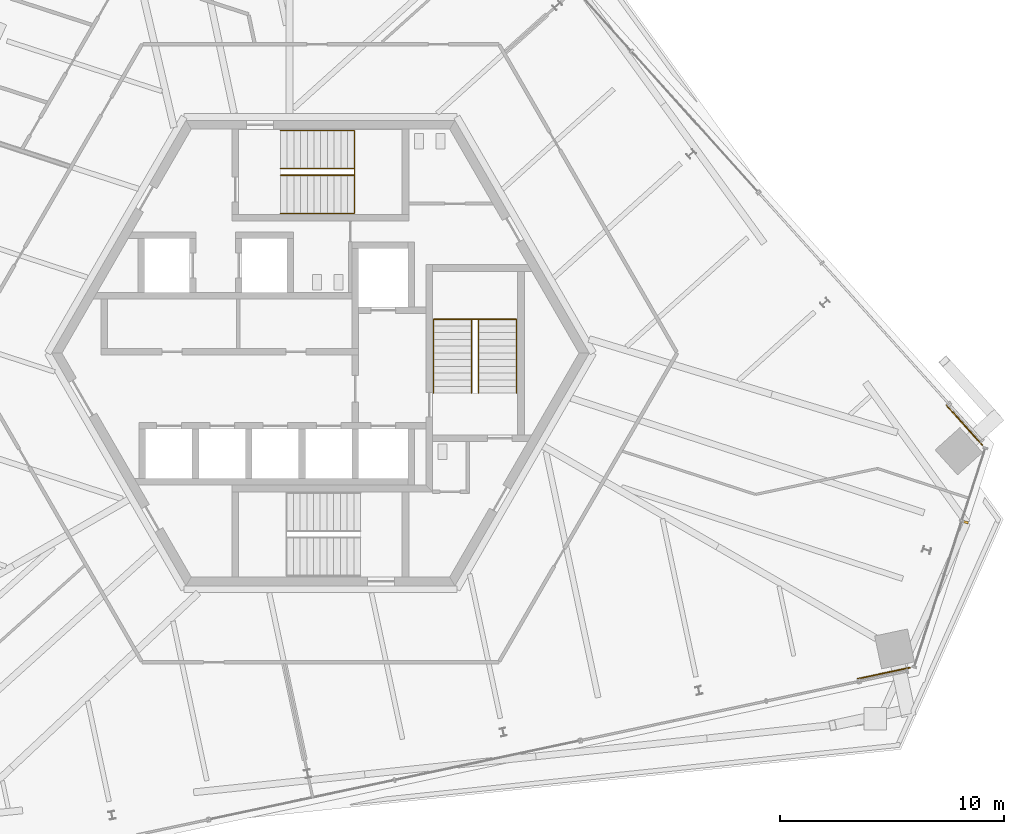
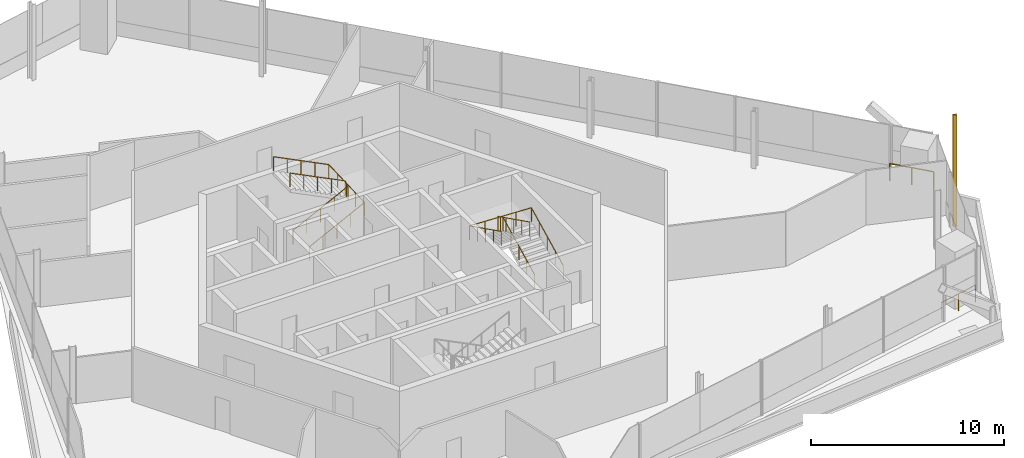
# One storey, part 18 of 20: 6 railings, 1 shading device.
"""IFC4 building model written with IfcOpenShell, lengths in metres."""

from ifc_helpers import new_model, si_unit, direction, frame, origin, origin_2d, place, context, subcontext, project, spatial, rectangle, circle, extrude, source, transform, mapped, material, type_object, element, save


model = new_model("IFC4")

# Units and contexts
model_context = context("Model", 3, precision=1e-05, world=origin(), true_north=direction((0.0, 1.0)))
body_context = subcontext(model_context, "Body", "Model", "MODEL_VIEW")
ifc_project = project(units=[si_unit("LENGTHUNIT", "METRE"), si_unit("AREAUNIT", "SQUARE_METRE"), si_unit("VOLUMEUNIT", "CUBIC_METRE"), si_unit("PLANEANGLEUNIT", "RADIAN"), si_unit("MASSUNIT", "GRAM", prefix="KILO")], contexts=[model_context])

# Site, building, storey
site_placement = place(None, origin())
site = spatial("IfcSite", under=ifc_project, at=site_placement, CompositionType="ELEMENT")
building_placement = place(site_placement, origin())
building = spatial("IfcBuilding", under=site, at=building_placement, Name="Triune Harvest Tower", CompositionType="ELEMENT")
storey_placement = place(building_placement, frame((0.0, 0.0, 259.5)))
storey = spatial("IfcBuildingStorey", under=building, at=storey_placement, Name="L68", CompositionType="ELEMENT", Elevation=259.5)

# Railings
ifc_material_1 = material(Name="Glass", Category="glass")
railing_type_1 = type_object("IfcRailingType", Name="GD-3 facade guard 1100", PredefinedType="GUARDRAIL", material=ifc_material_1)
railing_1_placement = place(storey_placement, frame((29.5419921875, -4.106689453125, 0.0)))
element("IfcRailing", 1, at=railing_1_placement, inside=storey, type_object=railing_type_1, Name="Facade guard B7-F1 L68.1.1", PredefinedType="GUARDRAIL", context=body_context, shape_type="SweptSolid", body=[
    extrude(circle(Radius=0.02392578125, at=origin_2d()), frame((0.0, 0.0, 1.076171875), z_axis=(-0.669117477067, 0.743156646935, 0.0), x_axis=(-0.743156646935, -0.669117477067, 0.0)), (0.0, 0.0, 1.0), 2.384033203125),
    extrude(circle(Radius=0.02099609375, at=origin_2d()), origin(), (0.0, 0.0, 1.0), 1.052001953125),
    extrude(circle(Radius=0.02099609375, at=origin_2d()), frame((-0.797607421875, 0.8857421875, 0.0)), (0.0, 0.0, 1.0), 1.052001953125),
    extrude(circle(Radius=0.02099609375, at=origin_2d()), frame((-1.59521484375, 1.771728515625, 0.0)), (0.0, 0.0, 1.0), 1.052001953125),
])
railing_2_placement = place(storey_placement, frame((23.981689453125, -14.53759765625, 0.0)))
element("IfcRailing", 2, at=railing_2_placement, inside=storey, type_object=railing_type_1, Name="Facade guard B7-F5 L68.1.2", PredefinedType="GUARDRAIL", context=body_context, shape_type="SweptSolid", body=[
    extrude(circle(Radius=0.02392578125, at=origin_2d()), frame((0.0, 0.0, 1.076171875), z_axis=(0.978133859796, 0.207976326345, 0.0), x_axis=(-0.207976326345, 0.978133859796, 0.0)), (0.0, 0.0, 1.0), 2.38427734375),
    extrude(circle(Radius=0.02099609375, at=origin_2d()), origin(), (0.0, 0.0, 1.0), 1.052001953125),
    extrude(circle(Radius=0.02099609375, at=origin_2d()), frame((1.166015625, 0.248046875, 0.0)), (0.0, 0.0, 1.0), 1.052001953125),
    extrude(circle(Radius=0.02099609375, at=origin_2d()), frame((2.33203125, 0.495849609375, 0.0)), (0.0, 0.0, 1.0), 1.052001953125),
])
ifc_material_2 = material(Name="Stainless steel AISI 316", Category="steel")
railing_type_2 = type_object("IfcRailingType", Name="Stair handrail", PredefinedType="HANDRAIL", material=ifc_material_2)
shared_shape_1 = source(origin(), body_context, "Body", "SweptSolid", [
    extrude(circle(Radius=0.02392578125, at=origin_2d()), frame((0.0, 0.0, 0.8759765625), z_axis=(0.894413956696, 0.0, 0.447240063129), x_axis=(0.0, 1.0, 0.0)), (0.0, 0.0, 1.0), 3.689697265625),
    extrude(circle(Radius=0.02392578125, at=origin_2d()), frame((3.300048828125, 0.0, 2.52587890625), z_axis=(0.0, 0.999180289278, 0.040481471304), x_axis=(-1.0, 0.0, 0.0)), (0.0, 0.0, 1.0), 3.702880859375),
    extrude(circle(Radius=0.02392578125, at=origin_2d()), frame((3.300048828125, 3.699951171875, 2.67578125), z_axis=(-0.894413956696, 0.0, 0.447240063129), x_axis=(0.0, -1.0, 0.0)), (0.0, 0.0, 1.0), 3.689697265625),
    extrude(circle(Radius=0.02099609375, at=origin_2d()), origin(), (0.0, 0.0, 1.0), 0.851806640625),
    extrude(circle(Radius=0.02099609375, at=origin_2d()), frame((0.824951171875, 0.0, 0.41259765625)), (0.0, 0.0, 1.0), 0.851806640625),
    extrude(circle(Radius=0.02099609375, at=origin_2d()), frame((1.64990234375, 0.0, 0.8251953125)), (0.0, 0.0, 1.0), 0.851806640625),
    extrude(circle(Radius=0.02099609375, at=origin_2d()), frame((2.47509765625, 0.0, 1.237548828125)), (0.0, 0.0, 1.0), 0.851806640625),
    extrude(circle(Radius=0.02099609375, at=origin_2d()), frame((3.300048828125, 0.0, 1.650146484375)), (0.0, 0.0, 1.0), 0.851806640625),
    extrude(circle(Radius=0.02099609375, at=origin_2d()), frame((3.300048828125, 0.925048828125, 1.6875)), (0.0, 0.0, 1.0), 0.851806640625),
    extrude(circle(Radius=0.02099609375, at=origin_2d()), frame((3.300048828125, 1.85009765625, 1.72509765625)), (0.0, 0.0, 1.0), 0.851806640625),
    extrude(circle(Radius=0.02099609375, at=origin_2d()), frame((3.300048828125, 2.77490234375, 1.7626953125)), (0.0, 0.0, 1.0), 0.851806640625),
    extrude(circle(Radius=0.02099609375, at=origin_2d()), frame((3.300048828125, 3.699951171875, 1.800048828125)), (0.0, 0.0, 1.0), 0.851806640625),
    extrude(circle(Radius=0.02099609375, at=origin_2d()), frame((2.47509765625, 3.699951171875, 2.212646484375)), (0.0, 0.0, 1.0), 0.851806640625),
    extrude(circle(Radius=0.02099609375, at=origin_2d()), frame((1.64990234375, 3.699951171875, 2.625)), (0.0, 0.0, 1.0), 0.851806640625),
    extrude(circle(Radius=0.02099609375, at=origin_2d()), frame((0.824951171875, 3.699951171875, 3.03759765625)), (0.0, 0.0, 1.0), 0.851806640625),
    extrude(circle(Radius=0.02099609375, at=origin_2d()), frame((0.0, 3.699951171875, 3.4501953125)), (0.0, 0.0, 1.0), 0.851806640625),
])
railing_3_placement = place(storey_placement, frame((-1.7900390625, 6.239990234375, 0.14990234375)))
element("IfcRailing", 3, at=railing_3_placement, inside=storey, type_object=railing_type_2, Name="Exit stair north wall handrail", PredefinedType="HANDRAIL", context=body_context, shape_type="MappedRepresentation", body=[
    mapped(shared_shape_1, transform((0.0, 0.0, 0.0), scale=1.0)),
])
shared_shape_2 = source(origin(), body_context, "Body", "SweptSolid", [
    extrude(circle(Radius=0.02392578125, at=origin_2d()), frame((0.0, 0.0, 0.8759765625), z_axis=(0.894413956696, 0.0, 0.447240063129), x_axis=(0.0, 1.0, 0.0)), (0.0, 0.0, 1.0), 3.689697265625),
    extrude(circle(Radius=0.02392578125, at=origin_2d()), frame((3.300048828125, 0.0, 2.52587890625), z_axis=(0.0, 0.894572720946, 0.446922417137), x_axis=(-1.0, 0.0, 0.0)), (0.0, 0.0, 1.0), 0.33544921875),
    extrude(circle(Radius=0.02392578125, at=origin_2d()), frame((3.300048828125, 0.300048828125, 2.67578125), z_axis=(-0.894413956696, 0.0, 0.447240063129), x_axis=(0.0, -1.0, 0.0)), (0.0, 0.0, 1.0), 3.689697265625),
    extrude(circle(Radius=0.02099609375, at=origin_2d()), origin(), (0.0, 0.0, 1.0), 0.851806640625),
    extrude(circle(Radius=0.02099609375, at=origin_2d()), frame((0.824951171875, 0.0, 0.41259765625)), (0.0, 0.0, 1.0), 0.851806640625),
    extrude(circle(Radius=0.02099609375, at=origin_2d()), frame((1.64990234375, 0.0, 0.8251953125)), (0.0, 0.0, 1.0), 0.851806640625),
    extrude(circle(Radius=0.02099609375, at=origin_2d()), frame((2.47509765625, 0.0, 1.237548828125)), (0.0, 0.0, 1.0), 0.851806640625),
    extrude(circle(Radius=0.02099609375, at=origin_2d()), frame((3.300048828125, 0.0, 1.650146484375)), (0.0, 0.0, 1.0), 0.851806640625),
    extrude(circle(Radius=0.02099609375, at=origin_2d()), frame((3.300048828125, 0.300048828125, 1.800048828125)), (0.0, 0.0, 1.0), 0.851806640625),
    extrude(circle(Radius=0.02099609375, at=origin_2d()), frame((2.47509765625, 0.300048828125, 2.212646484375)), (0.0, 0.0, 1.0), 0.851806640625),
    extrude(circle(Radius=0.02099609375, at=origin_2d()), frame((1.64990234375, 0.300048828125, 2.625)), (0.0, 0.0, 1.0), 0.851806640625),
    extrude(circle(Radius=0.02099609375, at=origin_2d()), frame((0.824951171875, 0.300048828125, 3.03759765625)), (0.0, 0.0, 1.0), 0.851806640625),
    extrude(circle(Radius=0.02099609375, at=origin_2d()), frame((0.0, 0.300048828125, 3.4501953125)), (0.0, 0.0, 1.0), 0.851806640625),
])
railing_4_placement = place(storey_placement, frame((-1.7900390625, 7.93994140625, 0.14990234375)))
element("IfcRailing", 4, at=railing_4_placement, inside=storey, type_object=railing_type_2, Name="Exit stair north centre handrail", PredefinedType="HANDRAIL", context=body_context, shape_type="MappedRepresentation", body=[
    mapped(shared_shape_2, transform((0.0, 0.0, 0.0), scale=1.0)),
])
shared_shape_3 = source(origin(), body_context, "Body", "SweptSolid", [
    extrude(circle(Radius=0.02392578125, at=origin_2d()), frame((0.0, 0.0, 0.8759765625), z_axis=(0.0, 0.894413956696, 0.447240063129), x_axis=(-1.0, 0.0, 0.0)), (0.0, 0.0, 1.0), 3.689697265625),
    extrude(circle(Radius=0.02392578125, at=origin_2d()), frame((0.0, 3.300048828125, 2.52587890625), z_axis=(-0.999180289278, 0.0, 0.040481471304), x_axis=(0.0, -1.0, 0.0)), (0.0, 0.0, 1.0), 3.702880859375),
    extrude(circle(Radius=0.02392578125, at=origin_2d()), frame((-3.699951171875, 3.300048828125, 2.67578125), z_axis=(0.0, -0.894413956696, 0.447240063129), x_axis=(1.0, 0.0, 0.0)), (0.0, 0.0, 1.0), 3.689697265625),
    extrude(circle(Radius=0.02099609375, at=origin_2d()), origin(), (0.0, 0.0, 1.0), 0.851806640625),
    extrude(circle(Radius=0.02099609375, at=origin_2d()), frame((0.0, 0.824951171875, 0.41259765625)), (0.0, 0.0, 1.0), 0.851806640625),
    extrude(circle(Radius=0.02099609375, at=origin_2d()), frame((0.0, 1.64990234375, 0.8251953125)), (0.0, 0.0, 1.0), 0.851806640625),
    extrude(circle(Radius=0.02099609375, at=origin_2d()), frame((0.0, 2.47509765625, 1.237548828125)), (0.0, 0.0, 1.0), 0.851806640625),
    extrude(circle(Radius=0.02099609375, at=origin_2d()), frame((0.0, 3.300048828125, 1.650146484375)), (0.0, 0.0, 1.0), 0.851806640625),
    extrude(circle(Radius=0.02099609375, at=origin_2d()), frame((-0.925048828125, 3.300048828125, 1.6875)), (0.0, 0.0, 1.0), 0.851806640625),
    extrude(circle(Radius=0.02099609375, at=origin_2d()), frame((-1.85009765625, 3.300048828125, 1.72509765625)), (0.0, 0.0, 1.0), 0.851806640625),
    extrude(circle(Radius=0.02099609375, at=origin_2d()), frame((-2.77490234375, 3.300048828125, 1.7626953125)), (0.0, 0.0, 1.0), 0.851806640625),
    extrude(circle(Radius=0.02099609375, at=origin_2d()), frame((-3.699951171875, 3.300048828125, 1.800048828125)), (0.0, 0.0, 1.0), 0.851806640625),
    extrude(circle(Radius=0.02099609375, at=origin_2d()), frame((-3.699951171875, 2.47509765625, 2.212646484375)), (0.0, 0.0, 1.0), 0.851806640625),
    extrude(circle(Radius=0.02099609375, at=origin_2d()), frame((-3.699951171875, 1.64990234375, 2.625)), (0.0, 0.0, 1.0), 0.851806640625),
    extrude(circle(Radius=0.02099609375, at=origin_2d()), frame((-3.699951171875, 0.824951171875, 3.03759765625)), (0.0, 0.0, 1.0), 0.851806640625),
    extrude(circle(Radius=0.02099609375, at=origin_2d()), frame((-3.699951171875, 0.0, 3.4501953125)), (0.0, 0.0, 1.0), 0.851806640625),
])
railing_5_placement = place(storey_placement, frame((8.75, -1.7900390625, 0.14990234375)))
element("IfcRailing", 5, at=railing_5_placement, inside=storey, type_object=railing_type_2, Name="Exit stair east wall handrail", PredefinedType="HANDRAIL", context=body_context, shape_type="MappedRepresentation", body=[
    mapped(shared_shape_3, transform((0.0, 0.0, 0.0), scale=1.0)),
])
shared_shape_4 = source(origin(), body_context, "Body", "SweptSolid", [
    extrude(circle(Radius=0.02392578125, at=origin_2d()), frame((0.0, 0.0, 0.8759765625), z_axis=(0.0, 0.894413956696, 0.447240063129), x_axis=(-1.0, 0.0, 0.0)), (0.0, 0.0, 1.0), 3.689697265625),
    extrude(circle(Radius=0.02392578125, at=origin_2d()), frame((0.0, 3.300048828125, 2.52587890625), z_axis=(-0.894572720946, 0.0, 0.446922417137), x_axis=(0.0, -1.0, 0.0)), (0.0, 0.0, 1.0), 0.33544921875),
    extrude(circle(Radius=0.02392578125, at=origin_2d()), frame((-0.300048828125, 3.300048828125, 2.67578125), z_axis=(0.0, -0.894413956696, 0.447240063129), x_axis=(1.0, 0.0, 0.0)), (0.0, 0.0, 1.0), 3.689697265625),
    extrude(circle(Radius=0.02099609375, at=origin_2d()), origin(), (0.0, 0.0, 1.0), 0.851806640625),
    extrude(circle(Radius=0.02099609375, at=origin_2d()), frame((0.0, 0.824951171875, 0.41259765625)), (0.0, 0.0, 1.0), 0.851806640625),
    extrude(circle(Radius=0.02099609375, at=origin_2d()), frame((0.0, 1.64990234375, 0.8251953125)), (0.0, 0.0, 1.0), 0.851806640625),
    extrude(circle(Radius=0.02099609375, at=origin_2d()), frame((0.0, 2.47509765625, 1.237548828125)), (0.0, 0.0, 1.0), 0.851806640625),
    extrude(circle(Radius=0.02099609375, at=origin_2d()), frame((0.0, 3.300048828125, 1.650146484375)), (0.0, 0.0, 1.0), 0.851806640625),
    extrude(circle(Radius=0.02099609375, at=origin_2d()), frame((-0.300048828125, 3.300048828125, 1.800048828125)), (0.0, 0.0, 1.0), 0.851806640625),
    extrude(circle(Radius=0.02099609375, at=origin_2d()), frame((-0.300048828125, 2.47509765625, 2.212646484375)), (0.0, 0.0, 1.0), 0.851806640625),
    extrude(circle(Radius=0.02099609375, at=origin_2d()), frame((-0.300048828125, 1.64990234375, 2.625)), (0.0, 0.0, 1.0), 0.851806640625),
    extrude(circle(Radius=0.02099609375, at=origin_2d()), frame((-0.300048828125, 0.824951171875, 3.03759765625)), (0.0, 0.0, 1.0), 0.851806640625),
    extrude(circle(Radius=0.02099609375, at=origin_2d()), frame((-0.300048828125, 0.0, 3.4501953125)), (0.0, 0.0, 1.0), 0.851806640625),
])
railing_6_placement = place(storey_placement, frame((7.050048828125, -1.7900390625, 0.14990234375)))
element("IfcRailing", 6, at=railing_6_placement, inside=storey, type_object=railing_type_2, Name="Exit stair east centre handrail", PredefinedType="HANDRAIL", context=body_context, shape_type="MappedRepresentation", body=[
    mapped(shared_shape_4, transform((0.0, 0.0, 0.0), scale=1.0)),
])

# Shading device
ifc_material_3 = material(Name="Aluminium bronze anodised", Category="aluminium")
shared_shape_5 = source(origin(), body_context, "Body", "SweptSolid", [
    extrude(rectangle(XDim=0.10009765625, YDim=0.199951171875, at=origin_2d()), origin(), (0.0, 0.0, 1.0), 7.0400390625),
])
shading_device_placement = place(storey_placement, frame((28.815185546875, -7.548095703125, 0.0), z_axis=(0.0, 0.0, 1.0), x_axis=(0.309018882717, 0.951055902733, 0.0)))
element("IfcShadingDevice", 7, at=shading_device_placement, inside=storey, material=ifc_material_3, Name="FN-1 fin B7-F6.3 L68", ObjectType="FIN", PredefinedType="USERDEFINED", context=body_context, shape_type="MappedRepresentation", body=[
    mapped(shared_shape_5, transform((0.0, 0.0, 0.0), scale=1.0)),
])

save(model, "model.ifc")
